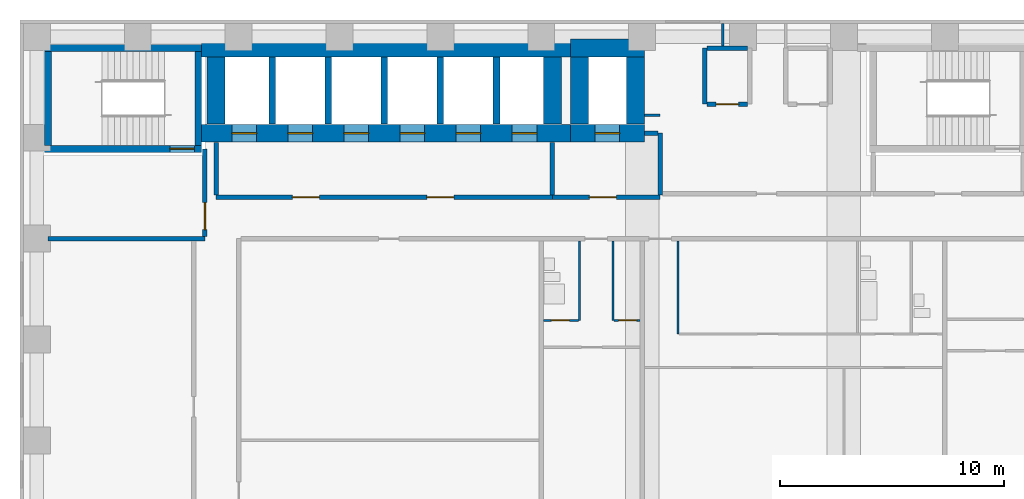
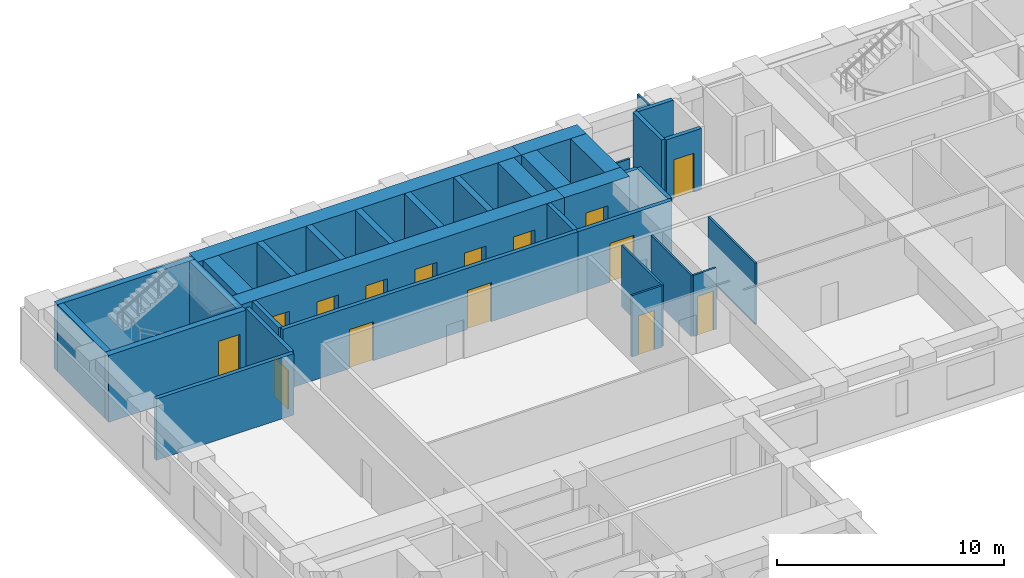
# One storey, part 5 of 11: 35 walls, 15 doors, 15 openings.
"""IFC4 building model written with IfcOpenShell, lengths in metres."""

from ifc_helpers import new_model, si_unit, direction, frame, frame_2d, origin, place, context, subcontext, project, spatial, rectangle, extrude, material, layer, layer_set, type_object, element, fill, save


model = new_model("IFC4")

# Units and contexts
model_context = context("Model", 3, precision=1e-05, world=origin(), true_north=direction((0.0, 1.0)))
body_context = subcontext(model_context, "Body", "Model", "MODEL_VIEW")
ifc_project = project(units=[si_unit("LENGTHUNIT", "METRE"), si_unit("AREAUNIT", "SQUARE_METRE"), si_unit("VOLUMEUNIT", "CUBIC_METRE"), si_unit("PLANEANGLEUNIT", "RADIAN"), si_unit("MASSUNIT", "GRAM", prefix="KILO")], contexts=[model_context])

# Site, building, storey
site_placement = place(None, origin())
site = spatial("IfcSite", under=ifc_project, at=site_placement, CompositionType="ELEMENT")
building_placement = place(site_placement, origin())
building = spatial("IfcBuilding", under=site, at=building_placement, Name="Firuza Court", CompositionType="ELEMENT")
storey_placement = place(building_placement, frame((0.0, 0.0, 57.800048828125)))
storey = spatial("IfcBuildingStorey", under=building, at=storey_placement, Name="L13", CompositionType="ELEMENT", Elevation=57.800048828125)

# Wall
ifc_material_1 = material(Name="Moisture-resistant gypsum board partition")
ifc_layer_1 = layer(ifc_material_1, 0.10009765625)
ifc_layer_set_1 = layer_set([ifc_layer_1], Name="Moisture-resistant gypsum board partition")
wall_type_1 = type_object("IfcWallType", Name="Bathroom partition 100", PredefinedType="PLUMBINGWALL", material=ifc_layer_set_1)
wall_1_placement = place(storey_placement, frame((24.199951171875, 45.85009765625, 0.0), z_axis=(0.0, 0.0, 1.0), x_axis=(0.0, 1.0, 0.0)))
element("IfcWall", 1, at=wall_1_placement, inside=storey, type_object=wall_type_1, Name="Bathroom partition 100 L13", PredefinedType="PLUMBINGWALL", context=body_context, shape_type="SweptSolid", body=[
    extrude(rectangle(XDim=3.5498046875, YDim=0.10009765625, at=frame_2d((1.77490234375, 0.0))), origin(), (0.0, 0.0, 1.0), 3.300048828125),
])

# Wall, opening, door
ifc_material_2 = material(Name="Concrete C60/75", Category="concrete")
ifc_layer_2 = layer(ifc_material_2, 0.300048828125)
ifc_layer_set_2 = layer_set([ifc_layer_2], Name="Concrete C60/75")
wall_type_2 = type_object("IfcWallType", Name="Core wall 300 C60/75", PredefinedType="SHEAR", material=ifc_layer_set_2)
wall_2_placement = place(storey_placement, frame((0.35009765625, 53.5, -0.300048828125), z_axis=(0.0, 0.0, 1.0), x_axis=(1.0, 0.0, 0.0)))
wall_2 = element("IfcWall", 2, at=wall_2_placement, inside=storey, type_object=wall_type_2, Name="Core wall stair L13", PredefinedType="SHEAR", context=body_context, shape_type="SweptSolid", body=[
    extrude(rectangle(XDim=7.0, YDim=0.300048828125, at=frame_2d((3.5, 0.0))), origin(), (0.0, 0.0, 1.0), 3.60009765625),
])
opening_1_placement = place(wall_2_placement, frame((5.580078125, 0.0, 0.300048828125)))
opening_1 = element("IfcOpeningElement", 3, at=opening_1_placement, cuts=wall_2, Name="Opening D13016", PredefinedType="OPENING", context=body_context, shape_type="SweptSolid", body=[
    extrude(rectangle(XDim=1.10009765625, YDim=2.10009765625, at=frame_2d((0.550048828125, 1.050048828125))), frame((0.0, 0.162109375, 0.0), z_axis=(0.0, -1.0, 0.0), x_axis=(1.0, 0.0, 0.0)), (0.0, 0.0, 1.0), 0.323974609375),
])
ifc_material_3 = material(Name="Timber door leaf in hardwood frame", Category="wood")
door_type_1 = type_object("IfcDoorType", Name="Stair door 1100", OperationType="SINGLE_SWING_LEFT", PredefinedType="DOOR", material=ifc_material_3)
door_1_placement = place(opening_1_placement, origin())
door_1 = element("IfcDoor", 4, at=door_1_placement, inside=storey, type_object=door_type_1, Name="Stair door S3", OperationType="SINGLE_SWING_RIGHT", OverallHeight=2.10009765625, OverallWidth=1.10009765625, PredefinedType="DOOR", context=body_context, shape_type="SweptSolid", body=[
    extrude(rectangle(XDim=1.10009765625, YDim=2.10009765625, at=frame_2d((0.550048828125, 1.050048828125))), frame((0.0, 0.02490234375, 0.0), z_axis=(0.0, -1.0, 0.0), x_axis=(1.0, 0.0, 0.0)), (0.0, 0.0, 1.0), 0.050048828125),
])
fill(opening_1, door_1)

# Walls
wall_3_placement = place(storey_placement, frame((0.35009765625, 58.0, -0.300048828125), z_axis=(0.0, 0.0, 1.0), x_axis=(1.0, 0.0, 0.0)))
element("IfcWall", 5, at=wall_3_placement, inside=storey, type_object=wall_type_2, Name="Core wall stair L13", PredefinedType="SHEAR", context=body_context, shape_type="SweptSolid", body=[
    extrude(rectangle(XDim=7.0, YDim=0.300048828125, at=frame_2d((3.5, 0.0))), origin(), (0.0, 0.0, 1.0), 3.60009765625),
])
for number, where, z_axis, x_axis, name in (
    (6, (0.5, 53.64990234375, -0.300048828125), (0.0, 0.0, 1.0), (0.0, 1.0, 0.0), "Core wall stair L13"),
    (7, (7.199951171875, 53.64990234375, -0.300048828125), (0.0, 0.0, 1.0), (0.0, 1.0, 0.0), "Core wall stair L13"),
):
    element("IfcWall", number, at=place(storey_placement, frame(where, z_axis=z_axis, x_axis=x_axis)), inside=storey, type_object=wall_type_2, Name=name, PredefinedType="SHEAR", context=body_context, shape_type="SweptSolid", body=[
        extrude(rectangle(XDim=4.2001953125, YDim=0.300048828125, at=frame_2d((2.10009765625, 0.0))), origin(), (0.0, 0.0, 1.0), 3.60009765625),
    ])
for number, where, z_axis, x_axis, name in (
    (8, (10.5, 54.60009765625, -0.300048828125), (0.0, 0.0, 1.0), (0.0, 1.0, 0.0), "Core wall lift shaft L13"),
    (9, (13.0, 54.60009765625, -0.300048828125), (0.0, 0.0, 1.0), (0.0, 1.0, 0.0), "Core wall lift shaft L13"),
    (10, (15.5, 54.60009765625, -0.300048828125), (0.0, 0.0, 1.0), (0.0, 1.0, 0.0), "Core wall lift shaft L13"),
    (11, (18.0, 54.60009765625, -0.300048828125), (0.0, 0.0, 1.0), (0.0, 1.0, 0.0), "Core wall lift shaft L13"),
    (12, (20.5, 54.60009765625, -0.300048828125), (0.0, 0.0, 1.0), (0.0, 1.0, 0.0), "Core wall lift shaft L13"),
):
    element("IfcWall", number, at=place(storey_placement, frame(where, z_axis=z_axis, x_axis=x_axis)), inside=storey, type_object=wall_type_2, Name=name, PredefinedType="SHEAR", context=body_context, shape_type="SweptSolid", body=[
        extrude(rectangle(XDim=3.0, YDim=0.300048828125, at=frame_2d((1.5, 0.0))), origin(), (0.0, 0.0, 1.0), 3.60009765625),
    ])

# Wall, openings, doors
ifc_layer_3 = layer(ifc_material_2, 0.800048828125)
ifc_layer_set_3 = layer_set([ifc_layer_3], Name="Concrete C60/75")
wall_type_3 = type_object("IfcWallType", Name="Core wall 800 C60/75", PredefinedType="SHEAR", material=ifc_layer_set_3)
wall_4_placement = place(storey_placement, frame((7.35009765625, 54.199951171875, -0.300048828125), z_axis=(0.0, 0.0, 1.0), x_axis=(1.0, 0.0, 0.0)))
wall_4 = element("IfcWall", 13, at=wall_4_placement, inside=storey, type_object=wall_type_3, Name="Core wall lift shaft L13", PredefinedType="SHEAR", context=body_context, shape_type="SweptSolid", body=[
    extrude(rectangle(XDim=16.449951171875, YDim=0.800048828125, at=frame_2d((8.22509765625, 0.0))), origin(), (0.0, 0.0, 1.0), 3.60009765625),
])
opening_2_placement = place(wall_4_placement, frame((1.35009765625, 0.0, 0.300048828125)))
opening_2 = element("IfcOpeningElement", 14, at=opening_2_placement, cuts=wall_4, Name="Opening LD-LB1-13", PredefinedType="OPENING", context=body_context, shape_type="SweptSolid", body=[
    extrude(rectangle(XDim=1.10009765625, YDim=2.10009765625, at=frame_2d((0.550048828125, 1.050048828125))), frame((0.0, 0.412109375, 0.0), z_axis=(0.0, -1.0, 0.0), x_axis=(1.0, 0.0, 0.0)), (0.0, 0.0, 1.0), 0.823974609375),
])
opening_3_placement = place(wall_4_placement, frame((3.85009765625, 0.0, 0.300048828125)))
opening_3 = element("IfcOpeningElement", 15, at=opening_3_placement, cuts=wall_4, Name="Opening LD-LB2-13", PredefinedType="OPENING", context=body_context, shape_type="SweptSolid", body=[
    extrude(rectangle(XDim=1.10009765625, YDim=2.10009765625, at=frame_2d((0.550048828125, 1.050048828125))), frame((0.0, 0.412109375, 0.0), z_axis=(0.0, -1.0, 0.0), x_axis=(1.0, 0.0, 0.0)), (0.0, 0.0, 1.0), 0.823974609375),
])
opening_4_placement = place(wall_4_placement, frame((6.35009765625, 0.0, 0.300048828125)))
opening_4 = element("IfcOpeningElement", 16, at=opening_4_placement, cuts=wall_4, Name="Opening LD-LB3-13", PredefinedType="OPENING", context=body_context, shape_type="SweptSolid", body=[
    extrude(rectangle(XDim=1.10009765625, YDim=2.10009765625, at=frame_2d((0.550048828125, 1.050048828125))), frame((0.0, 0.412109375, 0.0), z_axis=(0.0, -1.0, 0.0), x_axis=(1.0, 0.0, 0.0)), (0.0, 0.0, 1.0), 0.823974609375),
])
opening_5_placement = place(wall_4_placement, frame((8.85009765625, 0.0, 0.300048828125)))
opening_5 = element("IfcOpeningElement", 17, at=opening_5_placement, cuts=wall_4, Name="Opening LD-LB4-13", PredefinedType="OPENING", context=body_context, shape_type="SweptSolid", body=[
    extrude(rectangle(XDim=1.10009765625, YDim=2.10009765625, at=frame_2d((0.550048828125, 1.050048828125))), frame((0.0, 0.412109375, 0.0), z_axis=(0.0, -1.0, 0.0), x_axis=(1.0, 0.0, 0.0)), (0.0, 0.0, 1.0), 0.823974609375),
])
opening_6_placement = place(wall_4_placement, frame((11.35009765625, 0.0, 0.300048828125)))
opening_6 = element("IfcOpeningElement", 18, at=opening_6_placement, cuts=wall_4, Name="Opening LD-LB5-13", PredefinedType="OPENING", context=body_context, shape_type="SweptSolid", body=[
    extrude(rectangle(XDim=1.10009765625, YDim=2.10009765625, at=frame_2d((0.550048828125, 1.050048828125))), frame((0.0, 0.412109375, 0.0), z_axis=(0.0, -1.0, 0.0), x_axis=(1.0, 0.0, 0.0)), (0.0, 0.0, 1.0), 0.823974609375),
])
opening_7_placement = place(wall_4_placement, frame((13.85009765625, 0.0, 0.300048828125)))
opening_7 = element("IfcOpeningElement", 19, at=opening_7_placement, cuts=wall_4, Name="Opening LD-LB6-13", PredefinedType="OPENING", context=body_context, shape_type="SweptSolid", body=[
    extrude(rectangle(XDim=1.10009765625, YDim=2.10009765625, at=frame_2d((0.550048828125, 1.050048828125))), frame((0.0, 0.412109375, 0.0), z_axis=(0.0, -1.0, 0.0), x_axis=(1.0, 0.0, 0.0)), (0.0, 0.0, 1.0), 0.823974609375),
])
ifc_material_4 = material(Name="Stainless steel 1.4301 door leaf", Category="steel")
door_type_2 = type_object("IfcDoorType", Name="Lift landing door 1100", OperationType="SLIDING_TO_LEFT", PredefinedType="DOOR", material=ifc_material_4)
door_2_placement = place(opening_2_placement, origin())
door_2 = element("IfcDoor", 20, at=door_2_placement, inside=storey, type_object=door_type_2, Name="Landing door LB1", OperationType="SLIDING_TO_LEFT", OverallHeight=2.10009765625, OverallWidth=1.10009765625, PredefinedType="DOOR", context=body_context, shape_type="SweptSolid", body=[
    extrude(rectangle(XDim=1.10009765625, YDim=2.10009765625, at=frame_2d((0.550048828125, 1.050048828125))), frame((0.0, 0.02490234375, 0.0), z_axis=(0.0, -1.0, 0.0), x_axis=(1.0, 0.0, 0.0)), (0.0, 0.0, 1.0), 0.050048828125),
])
fill(opening_2, door_2)
door_3_placement = place(opening_3_placement, origin())
door_3 = element("IfcDoor", 21, at=door_3_placement, inside=storey, type_object=door_type_2, Name="Landing door LB2", OperationType="SLIDING_TO_LEFT", OverallHeight=2.10009765625, OverallWidth=1.10009765625, PredefinedType="DOOR", context=body_context, shape_type="SweptSolid", body=[
    extrude(rectangle(XDim=1.10009765625, YDim=2.10009765625, at=frame_2d((0.550048828125, 1.050048828125))), frame((0.0, 0.02490234375, 0.0), z_axis=(0.0, -1.0, 0.0), x_axis=(1.0, 0.0, 0.0)), (0.0, 0.0, 1.0), 0.050048828125),
])
fill(opening_3, door_3)
door_4_placement = place(opening_4_placement, origin())
door_4 = element("IfcDoor", 22, at=door_4_placement, inside=storey, type_object=door_type_2, Name="Landing door LB3", OperationType="SLIDING_TO_LEFT", OverallHeight=2.10009765625, OverallWidth=1.10009765625, PredefinedType="DOOR", context=body_context, shape_type="SweptSolid", body=[
    extrude(rectangle(XDim=1.10009765625, YDim=2.10009765625, at=frame_2d((0.550048828125, 1.050048828125))), frame((0.0, 0.02490234375, 0.0), z_axis=(0.0, -1.0, 0.0), x_axis=(1.0, 0.0, 0.0)), (0.0, 0.0, 1.0), 0.050048828125),
])
fill(opening_4, door_4)
door_5_placement = place(opening_5_placement, origin())
door_5 = element("IfcDoor", 23, at=door_5_placement, inside=storey, type_object=door_type_2, Name="Landing door LB4", OperationType="SLIDING_TO_LEFT", OverallHeight=2.10009765625, OverallWidth=1.10009765625, PredefinedType="DOOR", context=body_context, shape_type="SweptSolid", body=[
    extrude(rectangle(XDim=1.10009765625, YDim=2.10009765625, at=frame_2d((0.550048828125, 1.050048828125))), frame((0.0, 0.02490234375, 0.0), z_axis=(0.0, -1.0, 0.0), x_axis=(1.0, 0.0, 0.0)), (0.0, 0.0, 1.0), 0.050048828125),
])
fill(opening_5, door_5)
door_6_placement = place(opening_6_placement, origin())
door_6 = element("IfcDoor", 24, at=door_6_placement, inside=storey, type_object=door_type_2, Name="Landing door LB5", OperationType="SLIDING_TO_LEFT", OverallHeight=2.10009765625, OverallWidth=1.10009765625, PredefinedType="DOOR", context=body_context, shape_type="SweptSolid", body=[
    extrude(rectangle(XDim=1.10009765625, YDim=2.10009765625, at=frame_2d((0.550048828125, 1.050048828125))), frame((0.0, 0.02490234375, 0.0), z_axis=(0.0, -1.0, 0.0), x_axis=(1.0, 0.0, 0.0)), (0.0, 0.0, 1.0), 0.050048828125),
])
fill(opening_6, door_6)
door_7_placement = place(opening_7_placement, origin())
door_7 = element("IfcDoor", 25, at=door_7_placement, inside=storey, type_object=door_type_2, Name="Landing door LB6", OperationType="SLIDING_TO_LEFT", OverallHeight=2.10009765625, OverallWidth=1.10009765625, PredefinedType="DOOR", context=body_context, shape_type="SweptSolid", body=[
    extrude(rectangle(XDim=1.10009765625, YDim=2.10009765625, at=frame_2d((0.550048828125, 1.050048828125))), frame((0.0, 0.02490234375, 0.0), z_axis=(0.0, -1.0, 0.0), x_axis=(1.0, 0.0, 0.0)), (0.0, 0.0, 1.0), 0.050048828125),
])
fill(opening_7, door_7)

# Walls
wall_5_placement = place(storey_placement, frame((7.35009765625, 58.0, -0.300048828125), z_axis=(0.0, 0.0, 1.0), x_axis=(1.0, 0.0, 0.0)))
element("IfcWall", 26, at=wall_5_placement, inside=storey, type_object=wall_type_3, Name="Core wall lift shaft L13", PredefinedType="SHEAR", context=body_context, shape_type="SweptSolid", body=[
    extrude(rectangle(XDim=16.449951171875, YDim=0.800048828125, at=frame_2d((8.22509765625, 0.0))), origin(), (0.0, 0.0, 1.0), 3.60009765625),
])
for number, where, z_axis, x_axis, name in (
    (27, (8.0, 54.60009765625, -0.300048828125), (0.0, 0.0, 1.0), (0.0, 1.0, 0.0), "Core wall lift shaft L13"),
    (28, (23.0, 54.60009765625, -0.300048828125), (0.0, 0.0, 1.0), (0.0, 1.0, 0.0), "Core wall lift shaft L13"),
):
    element("IfcWall", number, at=place(storey_placement, frame(where, z_axis=z_axis, x_axis=x_axis)), inside=storey, type_object=wall_type_3, Name=name, PredefinedType="SHEAR", context=body_context, shape_type="SweptSolid", body=[
        extrude(rectangle(XDim=3.0, YDim=0.800048828125, at=frame_2d((1.5, 0.0))), origin(), (0.0, 0.0, 1.0), 3.60009765625),
    ])

# Wall, opening, door
wall_6_placement = place(storey_placement, frame((23.800048828125, 54.199951171875, -0.300048828125), z_axis=(0.0, 0.0, 1.0), x_axis=(1.0, 0.0, 0.0)))
wall_6 = element("IfcWall", 29, at=wall_6_placement, inside=storey, type_object=wall_type_3, Name="Core wall lift shaft L13", PredefinedType="SHEAR", context=body_context, shape_type="SweptSolid", body=[
    extrude(rectangle(XDim=3.300048828125, YDim=0.800048828125, at=frame_2d((1.64990234375, 0.0))), origin(), (0.0, 0.0, 1.0), 3.60009765625),
])
opening_8_placement = place(wall_6_placement, frame((1.10009765625, 0.0, 0.300048828125)))
opening_8 = element("IfcOpeningElement", 30, at=opening_8_placement, cuts=wall_6, Name="Opening LD-FL3-13", PredefinedType="OPENING", context=body_context, shape_type="SweptSolid", body=[
    extrude(rectangle(XDim=1.10009765625, YDim=2.10009765625, at=frame_2d((0.550048828125, 1.050048828125))), frame((0.0, 0.412109375, 0.0), z_axis=(0.0, -1.0, 0.0), x_axis=(1.0, 0.0, 0.0)), (0.0, 0.0, 1.0), 0.823974609375),
])
door_8_placement = place(opening_8_placement, origin())
door_8 = element("IfcDoor", 31, at=door_8_placement, inside=storey, type_object=door_type_2, Name="Landing door FL3", OperationType="SLIDING_TO_LEFT", OverallHeight=2.10009765625, OverallWidth=1.10009765625, PredefinedType="DOOR", context=body_context, shape_type="SweptSolid", body=[
    extrude(rectangle(XDim=1.10009765625, YDim=2.10009765625, at=frame_2d((0.550048828125, 1.050048828125))), frame((0.0, 0.02490234375, 0.0), z_axis=(0.0, -1.0, 0.0), x_axis=(1.0, 0.0, 0.0)), (0.0, 0.0, 1.0), 0.050048828125),
])
fill(opening_8, door_8)

# Walls
wall_7_placement = place(storey_placement, frame((23.800048828125, 58.0, -0.300048828125), z_axis=(0.0, 0.0, 1.0), x_axis=(1.0, 0.0, 0.0)))
element("IfcWall", 32, at=wall_7_placement, inside=storey, type_object=wall_type_3, Name="Core wall lift shaft L13", PredefinedType="SHEAR", context=body_context, shape_type="SweptSolid", body=[
    extrude(rectangle(XDim=3.300048828125, YDim=0.800048828125, at=frame_2d((1.64990234375, 0.0))), origin(), (0.0, 0.0, 1.0), 3.60009765625),
])
for number, where, z_axis, x_axis, name in (
    (33, (24.199951171875, 54.60009765625, -0.300048828125), (0.0, 0.0, 1.0), (0.0, 1.0, 0.0), "Core wall lift shaft L13"),
    (34, (26.699951171875, 54.60009765625, -0.300048828125), (0.0, 0.0, 1.0), (0.0, 1.0, 0.0), "Core wall lift shaft L13"),
):
    element("IfcWall", number, at=place(storey_placement, frame(where, z_axis=z_axis, x_axis=x_axis)), inside=storey, type_object=wall_type_3, Name=name, PredefinedType="SHEAR", context=body_context, shape_type="SweptSolid", body=[
        extrude(rectangle(XDim=3.0, YDim=0.800048828125, at=frame_2d((1.5, 0.0))), origin(), (0.0, 0.0, 1.0), 3.60009765625),
    ])
ifc_material_5 = material(Name="Timber stud partition, plasterboard both sides", Category="wood")
ifc_layer_4 = layer(ifc_material_5, 0.10009765625)
ifc_layer_set_4 = layer_set([ifc_layer_4], Name="Timber stud partition, plasterboard both sides")
wall_type_4 = type_object("IfcWallType", Name="Partition wall 100", PredefinedType="PARTITIONING", material=ifc_layer_set_4)
wall_8_placement = place(storey_placement, frame((28.60009765625, 45.25, 0.0), z_axis=(0.0, 0.0, 1.0), x_axis=(0.0, 1.0, 0.0)))
element("IfcWall", 35, at=wall_8_placement, inside=storey, type_object=wall_type_4, Name="Partition wall 100 L13", PredefinedType="PARTITIONING", context=body_context, shape_type="SweptSolid", body=[
    extrude(rectangle(XDim=4.14990234375, YDim=0.10009765625, at=frame_2d((2.074951171875, 0.0))), origin(), (0.0, 0.0, 1.0), 3.300048828125),
])

# Wall, opening, door
wall_9_placement = place(storey_placement, frame((22.60009765625, 45.85009765625, 0.0), z_axis=(0.0, 0.0, 1.0), x_axis=(1.0, 0.0, 0.0)))
wall_9 = element("IfcWall", 36, at=wall_9_placement, inside=storey, type_object=wall_type_4, Name="Partition wall 100 L13", PredefinedType="PARTITIONING", context=body_context, shape_type="SweptSolid", body=[
    extrude(rectangle(XDim=1.5498046875, YDim=0.10009765625, at=frame_2d((0.77490234375, 0.0))), origin(), (0.0, 0.0, 1.0), 3.300048828125),
])
opening_9_placement = place(wall_9_placement, frame((0.35009765625, 0.0, 0.0)))
opening_9 = element("IfcOpeningElement", 37, at=opening_9_placement, cuts=wall_9, Name="Opening D13057", PredefinedType="OPENING", context=body_context, shape_type="SweptSolid", body=[
    extrude(rectangle(XDim=0.800048828125, YDim=2.10009765625, at=frame_2d((0.39990234375, 1.050048828125))), frame((0.0, 0.06201171875, 0.0), z_axis=(0.0, -1.0, 0.0), x_axis=(1.0, 0.0, 0.0)), (0.0, 0.0, 1.0), 0.1240234375),
])
ifc_material_6 = material(Name="Timber door leaf in hardwood frame", Category="wood")
door_type_3 = type_object("IfcDoorType", Name="Bathroom door 800", OperationType="SINGLE_SWING_LEFT", PredefinedType="DOOR", material=ifc_material_6)
door_9_placement = place(opening_9_placement, origin())
door_9 = element("IfcDoor", 38, at=door_9_placement, inside=storey, type_object=door_type_3, Name="Bathroom door", OperationType="SINGLE_SWING_LEFT", OverallHeight=2.10009765625, OverallWidth=0.800048828125, PredefinedType="DOOR", context=body_context, shape_type="SweptSolid", body=[
    extrude(rectangle(XDim=0.800048828125, YDim=2.10009765625, at=frame_2d((0.39990234375, 1.050048828125))), frame((0.0, 0.02490234375, 0.0), z_axis=(0.0, -1.0, 0.0), x_axis=(1.0, 0.0, 0.0)), (0.0, 0.0, 1.0), 0.050048828125),
])
fill(opening_9, door_9)

# Wall
wall_10_placement = place(storey_placement, frame((25.699951171875, 45.85009765625, 0.0), z_axis=(0.0, 0.0, 1.0), x_axis=(0.0, 1.0, 0.0)))
element("IfcWall", 39, at=wall_10_placement, inside=storey, type_object=wall_type_4, Name="Partition wall 100 L13", PredefinedType="PARTITIONING", context=body_context, shape_type="SweptSolid", body=[
    extrude(rectangle(XDim=3.5498046875, YDim=0.10009765625, at=frame_2d((1.77490234375, 0.0))), origin(), (0.0, 0.0, 1.0), 3.300048828125),
])

# Wall, opening, door
wall_11_placement = place(storey_placement, frame((25.75, 45.85009765625, 0.0), z_axis=(0.0, 0.0, 1.0), x_axis=(1.0, 0.0, 0.0)))
wall_11 = element("IfcWall", 40, at=wall_11_placement, inside=storey, type_object=wall_type_4, Name="Partition wall 100 L13", PredefinedType="PARTITIONING", context=body_context, shape_type="SweptSolid", body=[
    extrude(rectangle(XDim=1.14990234375, YDim=0.10009765625, at=frame_2d((0.574951171875, 0.0))), origin(), (0.0, 0.0, 1.0), 3.300048828125),
])
opening_10_placement = place(wall_11_placement, frame((0.199951171875, 0.0, 0.0)))
opening_10 = element("IfcOpeningElement", 41, at=opening_10_placement, cuts=wall_11, Name="Opening D13058", PredefinedType="OPENING", context=body_context, shape_type="SweptSolid", body=[
    extrude(rectangle(XDim=0.800048828125, YDim=2.10009765625, at=frame_2d((0.39990234375, 1.050048828125))), frame((0.0, 0.06201171875, 0.0), z_axis=(0.0, -1.0, 0.0), x_axis=(1.0, 0.0, 0.0)), (0.0, 0.0, 1.0), 0.1240234375),
])
ifc_material_7 = material(Name="Timber door leaf in hardwood frame", Category="wood")
door_type_4 = type_object("IfcDoorType", Name="Room door 800", OperationType="SINGLE_SWING_LEFT", PredefinedType="DOOR", material=ifc_material_7)
door_10_placement = place(opening_10_placement, origin())
door_10 = element("IfcDoor", 42, at=door_10_placement, inside=storey, type_object=door_type_4, Name="Kitchen door", OperationType="SINGLE_SWING_LEFT", OverallHeight=2.10009765625, OverallWidth=0.800048828125, PredefinedType="DOOR", context=body_context, shape_type="SweptSolid", body=[
    extrude(rectangle(XDim=0.800048828125, YDim=2.10009765625, at=frame_2d((0.39990234375, 1.050048828125))), frame((0.0, 0.02490234375, 0.0), z_axis=(0.0, -1.0, 0.0), x_axis=(1.0, 0.0, 0.0)), (0.0, 0.0, 1.0), 0.050048828125),
])
fill(opening_10, door_10)

# Walls
wall_12_placement = place(storey_placement, frame((27.10009765625, 55.0, 0.0), z_axis=(0.0, 0.0, 1.0), x_axis=(1.0, 0.0, 0.0)))
element("IfcWall", 43, at=wall_12_placement, inside=storey, type_object=wall_type_4, Name="Partition wall 100 L13", PredefinedType="PARTITIONING", context=body_context, shape_type="SweptSolid", body=[
    extrude(rectangle(XDim=0.699951171875, YDim=0.10009765625, at=frame_2d((0.35009765625, 0.0))), origin(), (0.0, 0.0, 1.0), 3.300048828125),
])
wall_13_placement = place(storey_placement, frame((30.60009765625, 58.10009765625, 0.0), z_axis=(0.0, 0.0, 1.0), x_axis=(0.0, 1.0, 0.0)))
element("IfcWall", 44, at=wall_13_placement, inside=storey, type_object=wall_type_4, Name="Partition wall 100 L13", PredefinedType="PARTITIONING", context=body_context, shape_type="SweptSolid", body=[
    extrude(rectangle(XDim=1.0, YDim=0.10009765625, at=frame_2d((0.5, 0.0))), origin(), (0.0, 0.0, 1.0), 3.300048828125),
])
ifc_material_8 = material(Name="Blockwork, fire-rated", Category="masonry")
ifc_layer_5 = layer(ifc_material_8, 0.199951171875)
ifc_layer_set_5 = layer_set([ifc_layer_5], Name="Blockwork, fire-rated")
wall_type_5 = type_object("IfcWallType", Name="Plant room wall 200", PredefinedType="PARTITIONING", material=ifc_layer_set_5)
wall_14_placement = place(storey_placement, frame((29.800048828125, 55.5, 0.0), z_axis=(0.0, 0.0, 1.0), x_axis=(0.0, 1.0, 0.0)))
element("IfcWall", 45, at=wall_14_placement, inside=storey, type_object=wall_type_5, Name="Plant room wall 200 L13", PredefinedType="PARTITIONING", context=body_context, shape_type="SweptSolid", body=[
    extrude(rectangle(XDim=2.5, YDim=0.199951171875, at=frame_2d((1.25, 0.0))), origin(), (0.0, 0.0, 1.0), 3.300048828125),
])

# Wall, opening, door
wall_15_placement = place(storey_placement, frame((29.89990234375, 55.5, 0.0), z_axis=(0.0, 0.0, 1.0), x_axis=(1.0, 0.0, 0.0)))
wall_15 = element("IfcWall", 46, at=wall_15_placement, inside=storey, type_object=wall_type_5, Name="Plant room wall 200 L13", PredefinedType="PARTITIONING", context=body_context, shape_type="SweptSolid", body=[
    extrude(rectangle(XDim=1.800048828125, YDim=0.199951171875, at=frame_2d((0.89990234375, 0.0))), origin(), (0.0, 0.0, 1.0), 3.300048828125),
])
opening_11_placement = place(wall_15_placement, frame((0.39990234375, 0.0, 0.0)))
opening_11 = element("IfcOpeningElement", 47, at=opening_11_placement, cuts=wall_15, Name="Opening D13075", PredefinedType="OPENING", context=body_context, shape_type="SweptSolid", body=[
    extrude(rectangle(XDim=1.0, YDim=2.10009765625, at=frame_2d((0.5, 1.050048828125))), frame((0.0, 0.11181640625, 0.0), z_axis=(0.0, -1.0, 0.0), x_axis=(1.0, 0.0, 0.0)), (0.0, 0.0, 1.0), 0.223876953125),
])
ifc_material_9 = material(Name="Timber door leaf in hardwood frame", Category="wood")
door_type_5 = type_object("IfcDoorType", Name="Riser door 1000", OperationType="SINGLE_SWING_LEFT", PredefinedType="DOOR", material=ifc_material_9)
door_11_placement = place(opening_11_placement, origin())
door_11 = element("IfcDoor", 48, at=door_11_placement, inside=storey, type_object=door_type_5, Name="Electrical riser door", OperationType="SINGLE_SWING_LEFT", OverallHeight=2.10009765625, OverallWidth=1.0, PredefinedType="DOOR", context=body_context, shape_type="SweptSolid", body=[
    extrude(rectangle(XDim=1.0, YDim=2.10009765625, at=frame_2d((0.5, 1.050048828125))), frame((0.0, 0.02490234375, 0.0), z_axis=(0.0, -1.0, 0.0), x_axis=(1.0, 0.0, 0.0)), (0.0, 0.0, 1.0), 0.050048828125),
])
fill(opening_11, door_11)

# Wall
wall_16_placement = place(storey_placement, frame((29.89990234375, 58.0, 0.0), z_axis=(0.0, 0.0, 1.0), x_axis=(1.0, 0.0, 0.0)))
element("IfcWall", 49, at=wall_16_placement, inside=storey, type_object=wall_type_5, Name="Plant room wall 200 L13", PredefinedType="PARTITIONING", context=body_context, shape_type="SweptSolid", body=[
    extrude(rectangle(XDim=1.800048828125, YDim=0.199951171875, at=frame_2d((0.89990234375, 0.0))), origin(), (0.0, 0.0, 1.0), 3.300048828125),
])

# Wall, openings, doors
ifc_layer_6 = layer(ifc_material_8, 0.199951171875)
ifc_layer_set_6 = layer_set([ifc_layer_6], Name="Blockwork, fire-rated")
wall_type_6 = type_object("IfcWallType", Name="Shaft wall 200", PredefinedType="PARTITIONING", material=ifc_layer_set_6)
wall_17_placement = place(storey_placement, frame((8.0, 51.35009765625, 0.0), z_axis=(0.0, 0.0, 1.0), x_axis=(1.0, 0.0, 0.0)))
wall_17 = element("IfcWall", 50, at=wall_17_placement, inside=storey, type_object=wall_type_6, Name="Shaft wall 200 L13", PredefinedType="PARTITIONING", context=body_context, shape_type="SweptSolid", body=[
    extrude(rectangle(XDim=15.0, YDim=0.199951171875, at=frame_2d((7.5, 0.0))), origin(), (0.0, 0.0, 1.0), 3.300048828125),
])
opening_12_placement = place(wall_17_placement, frame((3.39990234375, 0.0, 0.0)))
opening_12 = element("IfcOpeningElement", 51, at=opening_12_placement, cuts=wall_17, Name="Opening D13004", PredefinedType="OPENING", context=body_context, shape_type="SweptSolid", body=[
    extrude(rectangle(XDim=1.199951171875, YDim=2.10009765625, at=frame_2d((0.60009765625, 1.050048828125))), frame((0.0, 0.11181640625, 0.0), z_axis=(0.0, -1.0, 0.0), x_axis=(1.0, 0.0, 0.0)), (0.0, 0.0, 1.0), 0.223876953125),
])
opening_13_placement = place(wall_17_placement, frame((9.39990234375, 0.0, 0.0)))
opening_13 = element("IfcOpeningElement", 52, at=opening_13_placement, cuts=wall_17, Name="Opening D13005", PredefinedType="OPENING", context=body_context, shape_type="SweptSolid", body=[
    extrude(rectangle(XDim=1.199951171875, YDim=2.10009765625, at=frame_2d((0.60009765625, 1.050048828125))), frame((0.0, 0.11181640625, 0.0), z_axis=(0.0, -1.0, 0.0), x_axis=(1.0, 0.0, 0.0)), (0.0, 0.0, 1.0), 0.223876953125),
])
ifc_material_10 = material(Name="Timber door leaf in hardwood frame", Category="wood")
door_type_6 = type_object("IfcDoorType", Name="Lobby door 1200", OperationType="SINGLE_SWING_LEFT", PredefinedType="DOOR", material=ifc_material_10)
door_12_placement = place(opening_12_placement, origin())
door_12 = element("IfcDoor", 53, at=door_12_placement, inside=storey, type_object=door_type_6, Name="Lobby door", OperationType="SINGLE_SWING_LEFT", OverallHeight=2.10009765625, OverallWidth=1.199951171875, PredefinedType="DOOR", context=body_context, shape_type="SweptSolid", body=[
    extrude(rectangle(XDim=1.199951171875, YDim=2.10009765625, at=frame_2d((0.60009765625, 1.050048828125))), frame((0.0, 0.02490234375, 0.0), z_axis=(0.0, -1.0, 0.0), x_axis=(1.0, 0.0, 0.0)), (0.0, 0.0, 1.0), 0.050048828125),
])
fill(opening_12, door_12)
door_13_placement = place(opening_13_placement, origin())
door_13 = element("IfcDoor", 54, at=door_13_placement, inside=storey, type_object=door_type_6, Name="Lobby door", OperationType="SINGLE_SWING_RIGHT", OverallHeight=2.10009765625, OverallWidth=1.199951171875, PredefinedType="DOOR", context=body_context, shape_type="SweptSolid", body=[
    extrude(rectangle(XDim=1.199951171875, YDim=2.10009765625, at=frame_2d((0.60009765625, 1.050048828125))), frame((0.0, 0.02490234375, 0.0), z_axis=(0.0, -1.0, 0.0), x_axis=(1.0, 0.0, 0.0)), (0.0, 0.0, 1.0), 0.050048828125),
])
fill(opening_13, door_13)

# Walls
for number, where, z_axis, x_axis, name in (
    (55, (23.0, 51.449951171875, 0.0), (0.0, 0.0, 1.0), (0.0, 1.0, 0.0), "Shaft wall 200 L13"),
    (56, (8.0, 51.449951171875, 0.0), (0.0, 0.0, 1.0), (0.0, 1.0, 0.0), "Shaft wall 200 L13"),
):
    element("IfcWall", number, at=place(storey_placement, frame(where, z_axis=z_axis, x_axis=x_axis)), inside=storey, type_object=wall_type_6, Name=name, PredefinedType="PARTITIONING", context=body_context, shape_type="SweptSolid", body=[
        extrude(rectangle(XDim=2.330078125, YDim=0.199951171875, at=frame_2d((1.1650390625, 0.0))), origin(), (0.0, 0.0, 1.0), 3.300048828125),
    ])

# Wall, opening, door
wall_18_placement = place(storey_placement, frame((23.0, 51.35009765625, 0.0), z_axis=(0.0, 0.0, 1.0), x_axis=(1.0, 0.0, 0.0)))
wall_18 = element("IfcWall", 57, at=wall_18_placement, inside=storey, type_object=wall_type_6, Name="Shaft wall 200 L13", PredefinedType="PARTITIONING", context=body_context, shape_type="SweptSolid", body=[
    extrude(rectangle(XDim=4.800048828125, YDim=0.199951171875, at=frame_2d((2.39990234375, 0.0))), origin(), (0.0, 0.0, 1.0), 3.300048828125),
])
opening_14_placement = place(wall_18_placement, frame((1.64990234375, 0.0, 0.0)))
opening_14 = element("IfcOpeningElement", 58, at=opening_14_placement, cuts=wall_18, Name="Opening D13003", PredefinedType="OPENING", context=body_context, shape_type="SweptSolid", body=[
    extrude(rectangle(XDim=1.199951171875, YDim=2.10009765625, at=frame_2d((0.60009765625, 1.050048828125))), frame((0.0, 0.11181640625, 0.0), z_axis=(0.0, -1.0, 0.0), x_axis=(1.0, 0.0, 0.0)), (0.0, 0.0, 1.0), 0.223876953125),
])
door_14_placement = place(opening_14_placement, origin())
door_14 = element("IfcDoor", 59, at=door_14_placement, inside=storey, type_object=door_type_6, Name="Fire-fighting lobby door", OperationType="SINGLE_SWING_LEFT", OverallHeight=2.10009765625, OverallWidth=1.199951171875, PredefinedType="DOOR", context=body_context, shape_type="SweptSolid", body=[
    extrude(rectangle(XDim=1.199951171875, YDim=2.10009765625, at=frame_2d((0.60009765625, 1.050048828125))), frame((0.0, 0.02490234375, 0.0), z_axis=(0.0, -1.0, 0.0), x_axis=(1.0, 0.0, 0.0)), (0.0, 0.0, 1.0), 0.050048828125),
])
fill(opening_14, door_14)

# Walls
wall_19_placement = place(storey_placement, frame((27.800048828125, 51.449951171875, 0.0), z_axis=(0.0, 0.0, 1.0), x_axis=(0.0, 1.0, 0.0)))
element("IfcWall", 60, at=wall_19_placement, inside=storey, type_object=wall_type_6, Name="Shaft wall 200 L13", PredefinedType="PARTITIONING", context=body_context, shape_type="SweptSolid", body=[
    extrude(rectangle(XDim=2.75, YDim=0.199951171875, at=frame_2d((1.375, 0.0))), origin(), (0.0, 0.0, 1.0), 3.300048828125),
])
wall_20_placement = place(storey_placement, frame((27.10009765625, 54.199951171875, 0.0), z_axis=(0.0, 0.0, 1.0), x_axis=(1.0, 0.0, 0.0)))
element("IfcWall", 61, at=wall_20_placement, inside=storey, type_object=wall_type_6, Name="Shaft wall 200 L13", PredefinedType="PARTITIONING", context=body_context, shape_type="SweptSolid", body=[
    extrude(rectangle(XDim=0.599853515625, YDim=0.199951171875, at=frame_2d((0.2998046875, 0.0))), origin(), (0.0, 0.0, 1.0), 3.300048828125),
])
wall_21_placement = place(storey_placement, frame((0.5, 49.5, 0.0), z_axis=(0.0, 0.0, 1.0), x_axis=(1.0, 0.0, 0.0)))
element("IfcWall", 62, at=wall_21_placement, inside=storey, type_object=wall_type_6, Name="Shaft wall 200 L13", PredefinedType="PARTITIONING", context=body_context, shape_type="SweptSolid", body=[
    extrude(rectangle(XDim=7.0, YDim=0.199951171875, at=frame_2d((3.5, 0.0))), origin(), (0.0, 0.0, 1.0), 3.300048828125),
])

# Wall, opening, door
wall_22_placement = place(storey_placement, frame((7.5, 49.60009765625, 0.0), z_axis=(0.0, 0.0, 1.0), x_axis=(0.0, 1.0, 0.0)))
wall_22 = element("IfcWall", 63, at=wall_22_placement, inside=storey, type_object=wall_type_6, Name="Shaft wall 200 L13", PredefinedType="PARTITIONING", context=body_context, shape_type="SweptSolid", body=[
    extrude(rectangle(XDim=3.89990234375, YDim=0.199951171875, at=frame_2d((1.949951171875, 0.0))), origin(), (0.0, 0.0, 1.0), 3.300048828125),
])
opening_15_placement = place(wall_22_placement, frame((0.300048828125, 0.0, 0.0)))
opening_15 = element("IfcOpeningElement", 64, at=opening_15_placement, cuts=wall_22, Name="Opening D13001", PredefinedType="OPENING", context=body_context, shape_type="SweptSolid", body=[
    extrude(rectangle(XDim=1.199951171875, YDim=2.10009765625, at=frame_2d((0.60009765625, 1.050048828125))), frame((0.0, 0.11181640625, 0.0), z_axis=(0.0, -1.0, 0.0), x_axis=(1.0, 0.0, 0.0)), (0.0, 0.0, 1.0), 0.223876953125),
])
door_15_placement = place(opening_15_placement, origin())
door_15 = element("IfcDoor", 65, at=door_15_placement, inside=storey, type_object=door_type_6, Name="Lobby door", OperationType="SINGLE_SWING_LEFT", OverallHeight=2.10009765625, OverallWidth=1.199951171875, PredefinedType="DOOR", context=body_context, shape_type="SweptSolid", body=[
    extrude(rectangle(XDim=1.199951171875, YDim=2.10009765625, at=frame_2d((0.60009765625, 1.050048828125))), frame((0.0, 0.02490234375, 0.0), z_axis=(0.0, -1.0, 0.0), x_axis=(1.0, 0.0, 0.0)), (0.0, 0.0, 1.0), 0.050048828125),
])
fill(opening_15, door_15)

save(model, "model.ifc")
